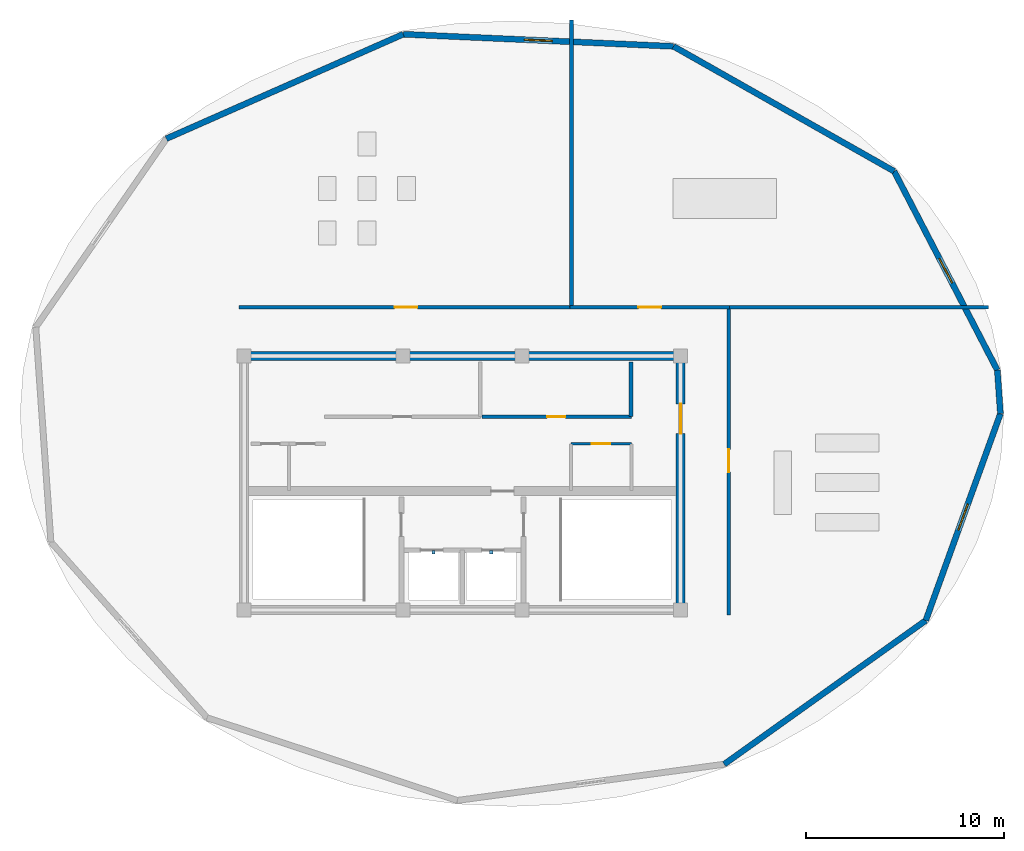
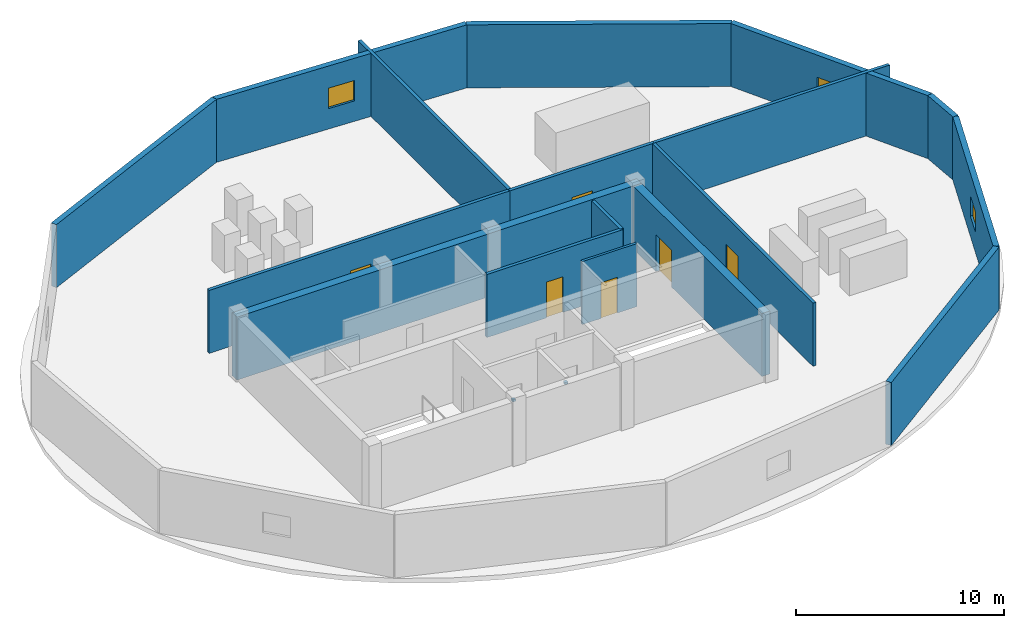
# One storey, part 2 of 4: 17 walls, 6 doors, 3 windows, 2 discrete accessories, 9 openings.
"""IFC4 building model written with IfcOpenShell, lengths in metres."""

from ifc_helpers import new_model, si_unit, direction, frame, frame_2d, origin, origin_2d, place, context, subcontext, project, spatial, rectangle, extrude, material, layer, layer_set, type_object, element, fill, save


model = new_model("IFC4")

# Units and contexts
model_context = context("Model", 3, precision=1e-05, world=origin(), true_north=direction((0.0, 1.0)))
body_context = subcontext(model_context, "Body", "Model", "MODEL_VIEW")
ifc_project = project(units=[si_unit("LENGTHUNIT", "METRE"), si_unit("AREAUNIT", "SQUARE_METRE"), si_unit("VOLUMEUNIT", "CUBIC_METRE"), si_unit("PLANEANGLEUNIT", "RADIAN"), si_unit("MASSUNIT", "GRAM", prefix="KILO")], contexts=[model_context])

# Site, building, storey
site_placement = place(None, origin())
site = spatial("IfcSite", under=ifc_project, at=site_placement, CompositionType="ELEMENT")
building_placement = place(site_placement, origin())
building = spatial("IfcBuilding", under=site, at=building_placement, Name="Kazevale Care Tower and Concert Hall", CompositionType="ELEMENT")
storey_placement = place(building_placement, frame((0.0, 0.0, 308.800048828125)))
storey = spatial("IfcBuildingStorey", under=building, at=storey_placement, Name="L81", CompositionType="ELEMENT", Elevation=308.800048828125)

# Wall, opening, door
ifc_material_1 = material(Name="Acoustic Gypsum on Steel Stud", Category="steel")
ifc_layer_1 = layer(ifc_material_1, 0.139892578125)
ifc_layer_set_1 = layer_set([ifc_layer_1], Name="Acoustic Gypsum on Steel Stud")
wall_type_1 = type_object("IfcWallType", Name="Acoustic Care & Suite Partition 140", PredefinedType="PARTITIONING", material=ifc_layer_set_1)
wall_1_placement = place(storey_placement, frame((38.47998046875, 31.97998046875, 0.0), z_axis=(0.0, 0.0, 1.0), x_axis=(1.0, 0.0, 0.0)))
wall_1 = element("IfcWall", 1, at=wall_1_placement, inside=storey, type_object=wall_type_1, Name="wall:L81:kb_en", PredefinedType="PARTITIONING", context=body_context, shape_type="SweptSolid", body=[
    extrude(rectangle(XDim=3.0400390625, YDim=0.139892578125, at=frame_2d((1.52001953125, 0.0))), origin(), (0.0, 0.0, 1.0), 3.699951171875),
])
opening_1_placement = place(wall_1_placement, frame((1.044921875, 0.0, 0.0)))
opening_1 = element("IfcOpeningElement", 2, at=opening_1_placement, cuts=wall_1, Name="Opening ID-900", PredefinedType="OPENING", context=body_context, shape_type="SweptSolid", body=[
    extrude(rectangle(XDim=0.919921875, YDim=2.10009765625, at=frame_2d((0.4599609375, 1.050048828125))), frame((0.0, 0.079833984375, 0.0), z_axis=(0.0, -1.0, 0.0), x_axis=(1.0, 0.0, 0.0)), (0.0, 0.0, 1.0), 0.159912109375),
])
ifc_material_2 = material(Name="Oak Timber Fire Leaf", Category="wood")
door_type_1 = type_object("IfcDoorType", Name="Bathroom & Service Door 920x2100", OperationType="NOTDEFINED", PredefinedType="DOOR", material=ifc_material_2)
door_1_placement = place(opening_1_placement, origin())
door_1 = element("IfcDoor", 3, at=door_1_placement, inside=storey, type_object=door_type_1, Name="door:L81:d_kbe", OperationType="SINGLE_SWING_LEFT", OverallHeight=2.10009765625, OverallWidth=0.919921875, PredefinedType="DOOR", context=body_context, shape_type="SweptSolid", body=[
    extrude(rectangle(XDim=0.919921875, YDim=2.10009765625, at=frame_2d((0.4599609375, 1.050048828125))), frame((0.0, 0.02490234375, 0.0), z_axis=(0.0, -1.0, 0.0), x_axis=(1.0, 0.0, 0.0)), (0.0, 0.0, 1.0), 0.050048828125),
])
fill(opening_1, door_1)

# Wall
ifc_material_3 = material(Name="Concrete C50", Category="concrete")
ifc_layer_2 = layer(ifc_material_3, 0.449951171875)
ifc_layer_set_2 = layer_set([ifc_layer_2], Name="Concrete C50")
wall_type_2 = type_object("IfcWallType", Name="Core Shear Wall 450 C50", PredefinedType="SHEAR", material=ifc_layer_set_2)
wall_2_placement = place(storey_placement, frame((21.77490234375, 36.39990234375, 0.0), z_axis=(0.0, 0.0, 1.0), x_axis=(1.0, 0.0, 0.0)))
element("IfcWall", 4, at=wall_2_placement, inside=storey, type_object=wall_type_2, Name="wall:L81:core:N", PredefinedType="SHEAR", context=body_context, shape_type="SweptSolid", body=[
    extrude(rectangle(XDim=22.4501953125, YDim=0.449951171875, at=frame_2d((11.22509765625, 0.0))), origin(), (0.0, 0.0, 1.0), 3.699951171875),
])

# Wall, opening, door
wall_3_placement = place(storey_placement, frame((44.0, 23.824951171875, 0.0), z_axis=(0.0, 0.0, 1.0), x_axis=(0.0, 1.0, 0.0)))
wall_3 = element("IfcWall", 5, at=wall_3_placement, inside=storey, type_object=wall_type_2, Name="wall:L81:core:E", PredefinedType="SHEAR", context=body_context, shape_type="SweptSolid", body=[
    extrude(rectangle(XDim=12.35009765625, YDim=0.449951171875, at=frame_2d((6.175048828125, 0.0))), origin(), (0.0, 0.0, 1.0), 3.699951171875),
])
opening_2_placement = place(wall_3_placement, frame((8.675048828125, 0.0, 0.0)))
opening_2 = element("IfcOpeningElement", 6, at=opening_2_placement, cuts=wall_3, Name="Opening FD-60D", PredefinedType="OPENING", context=body_context, shape_type="SweptSolid", body=[
    extrude(rectangle(XDim=1.5, YDim=2.14990234375, at=frame_2d((0.75, 1.074951171875))), frame((0.0, 0.23486328125, 0.0), z_axis=(0.0, -1.0, 0.0), x_axis=(1.0, 0.0, 0.0)), (0.0, 0.0, 1.0), 0.469970703125),
])
door_type_2 = type_object("IfcDoorType", Name="Double Lobby & Auditorium Fire Door 1500x2150", OperationType="NOTDEFINED", PredefinedType="DOOR", material=ifc_material_2)
door_2_placement = place(opening_2_placement, origin())
door_2 = element("IfcDoor", 7, at=door_2_placement, inside=storey, type_object=door_type_2, Name="door:L81:core_east_out", OperationType="DOUBLE_DOOR_SINGLE_SWING", OverallHeight=2.14990234375, OverallWidth=1.5, PredefinedType="DOOR", context=body_context, shape_type="SweptSolid", body=[
    extrude(rectangle(XDim=1.5, YDim=2.14990234375, at=frame_2d((0.75, 1.074951171875))), frame((0.0, 0.02490234375, 0.0), z_axis=(0.0, -1.0, 0.0), x_axis=(1.0, 0.0, 0.0)), (0.0, 0.0, 1.0), 0.050048828125),
])
fill(opening_2, door_2)

# Wall, opening, window
ifc_material_4 = material(Name="Concrete C40 with Honed Limestone Cladding", Category="masonry")
ifc_layer_3 = layer(ifc_material_4, 0.300048828125)
ifc_layer_set_3 = layer_set([ifc_layer_3], Name="Concrete C40 with Honed Limestone Cladding")
wall_type_3 = type_object("IfcWallType", Name="Crown Drum Louvred Stone Wall 300", PredefinedType="STANDARD", material=ifc_layer_set_3)
wall_4_placement = place(storey_placement, frame((60.1201171875, 33.5, 0.0), z_axis=(0.0, 0.0, 1.0), x_axis=(-0.339587618367, -0.940574425259, 0.0)))
wall_4 = element("IfcWall", 8, at=wall_4_placement, inside=storey, type_object=wall_type_3, Name="wall:L81:drum:01", PredefinedType="STANDARD", context=body_context, shape_type="SweptSolid", body=[
    extrude(rectangle(XDim=11.08154296875, YDim=0.300048828125, at=frame_2d((5.540771484375, 0.0))), origin(), (0.0, 0.0, 1.0), 3.699951171875),
])
opening_3_placement = place(wall_4_placement, frame((4.841064453125, 0.0, 1.199951171875)))
opening_3 = element("IfcOpeningElement", 9, at=opening_3_placement, cuts=wall_4, Name="Opening WIN-4", PredefinedType="OPENING", context=body_context, shape_type="SweptSolid", body=[
    extrude(rectangle(XDim=1.39990234375, YDim=1.199951171875, at=frame_2d((0.699951171875, 0.60009765625))), frame((0.0, 0.159912109375, 0.0), z_axis=(0.0, -1.0, 0.0), x_axis=(1.0, 0.0, 0.0)), (0.0, 0.0, 1.0), 0.320068359375),
])
ifc_material_5 = material(Name="Aluminium 6063-T6", Category="aluminium")
window_type = type_object("IfcWindowType", Name="Crown Plant Louvred Window 1400x1200", PartitioningType="SINGLE_PANEL", PredefinedType="WINDOW", material=ifc_material_5)
window_1_placement = place(opening_3_placement, origin())
window_1 = element("IfcWindow", 10, at=window_1_placement, inside=storey, type_object=window_type, Name="win:L81:drum:01", OverallHeight=1.199951171875, OverallWidth=1.39990234375, PartitioningType="SINGLE_PANEL", PredefinedType="WINDOW", context=body_context, shape_type="SweptSolid", body=[
    extrude(rectangle(XDim=1.39990234375, YDim=1.199951171875, at=frame_2d((0.699951171875, 0.60009765625))), frame((0.0, 0.030029296875, 0.0), z_axis=(0.0, -1.0, 0.0), x_axis=(1.0, 0.0, 0.0)), (0.0, 0.0, 1.0), 0.06005859375),
])
fill(opening_3, window_1)

# Walls
wall_5_placement = place(storey_placement, frame((56.35693359375, 23.076904296875, 0.0), z_axis=(0.0, 0.0, 1.0), x_axis=(-0.814111303181, -0.580708865123, 0.0)))
element("IfcWall", 11, at=wall_5_placement, inside=storey, type_object=wall_type_3, Name="wall:L81:drum:02", PredefinedType="STANDARD", context=body_context, shape_type="SweptSolid", body=[
    extrude(rectangle(XDim=12.48095703125, YDim=0.300048828125, at=frame_2d((6.240478515625, 0.0))), origin(), (0.0, 0.0, 1.0), 3.699951171875),
])
wall_6_placement = place(storey_placement, frame((18.075927734375, 47.360107421875, 0.0), z_axis=(0.0, 0.0, 1.0), x_axis=(0.914943001047, 0.40358308294, 0.0)))
element("IfcWall", 12, at=wall_6_placement, inside=storey, type_object=wall_type_3, Name="wall:L81:drum:08", PredefinedType="STANDARD", context=body_context, shape_type="SweptSolid", body=[
    extrude(rectangle(XDim=13.0478515625, YDim=0.300048828125, at=frame_2d((6.52392578125, 0.0))), origin(), (0.0, 0.0, 1.0), 3.699951171875),
])

# Wall, opening, window
wall_7_placement = place(storey_placement, frame((30.013916015625, 52.6259765625, 0.0), z_axis=(0.0, 0.0, 1.0), x_axis=(0.998996211569, -0.04479474602, 0.0)))
wall_7 = element("IfcWall", 13, at=wall_7_placement, inside=storey, type_object=wall_type_3, Name="wall:L81:drum:09", PredefinedType="STANDARD", context=body_context, shape_type="SweptSolid", body=[
    extrude(rectangle(XDim=13.641845703125, YDim=0.300048828125, at=frame_2d((6.82080078125, 0.0))), origin(), (0.0, 0.0, 1.0), 3.699951171875),
])
opening_4_placement = place(wall_7_placement, frame((6.12109375, 0.0, 1.199951171875)))
opening_4 = element("IfcOpeningElement", 14, at=opening_4_placement, cuts=wall_7, Name="Opening WIN-4", PredefinedType="OPENING", context=body_context, shape_type="SweptSolid", body=[
    extrude(rectangle(XDim=1.39990234375, YDim=1.199951171875, at=frame_2d((0.699951171875, 0.60009765625))), frame((0.0, 0.159912109375, 0.0), z_axis=(0.0, -1.0, 0.0), x_axis=(1.0, 0.0, 0.0)), (0.0, 0.0, 1.0), 0.320068359375),
])
window_2_placement = place(opening_4_placement, origin())
window_2 = element("IfcWindow", 15, at=window_2_placement, inside=storey, type_object=window_type, Name="win:L81:drum:09", OverallHeight=1.199951171875, OverallWidth=1.39990234375, PartitioningType="SINGLE_PANEL", PredefinedType="WINDOW", context=body_context, shape_type="SweptSolid", body=[
    extrude(rectangle(XDim=1.39990234375, YDim=1.199951171875, at=frame_2d((0.699951171875, 0.60009765625))), frame((0.0, 0.030029296875, 0.0), z_axis=(0.0, -1.0, 0.0), x_axis=(1.0, 0.0, 0.0)), (0.0, 0.0, 1.0), 0.06005859375),
])
fill(opening_4, window_2)

# Wall
wall_8_placement = place(storey_placement, frame((43.64208984375, 52.014892578125, 0.0), z_axis=(0.0, 0.0, 1.0), x_axis=(0.870169378253, -0.492752730232, 0.0)))
element("IfcWall", 16, at=wall_8_placement, inside=storey, type_object=wall_type_3, Name="wall:L81:drum:10", PredefinedType="STANDARD", context=body_context, shape_type="SweptSolid", body=[
    extrude(rectangle(XDim=12.779052734375, YDim=0.300048828125, at=frame_2d((6.3896484375, 0.0))), origin(), (0.0, 0.0, 1.0), 3.699951171875),
])

# Wall, opening, window
wall_9_placement = place(storey_placement, frame((54.761962890625, 45.718017578125, 0.0), z_axis=(0.0, 0.0, 1.0), x_axis=(0.460623742834, -0.8875954977, 0.0)))
wall_9 = element("IfcWall", 17, at=wall_9_placement, inside=storey, type_object=wall_type_3, Name="wall:L81:drum:11", PredefinedType="STANDARD", context=body_context, shape_type="SweptSolid", body=[
    extrude(rectangle(XDim=11.2958984375, YDim=0.300048828125, at=frame_2d((5.64794921875, 0.0))), origin(), (0.0, 0.0, 1.0), 3.699951171875),
])
opening_5_placement = place(wall_9_placement, frame((4.947998046875, 0.0, 1.199951171875)))
opening_5 = element("IfcOpeningElement", 18, at=opening_5_placement, cuts=wall_9, Name="Opening WIN-4", PredefinedType="OPENING", context=body_context, shape_type="SweptSolid", body=[
    extrude(rectangle(XDim=1.39990234375, YDim=1.199951171875, at=frame_2d((0.699951171875, 0.60009765625))), frame((0.0, 0.159912109375, 0.0), z_axis=(0.0, -1.0, 0.0), x_axis=(1.0, 0.0, 0.0)), (0.0, 0.0, 1.0), 0.320068359375),
])
window_3_placement = place(opening_5_placement, origin())
window_3 = element("IfcWindow", 19, at=window_3_placement, inside=storey, type_object=window_type, Name="win:L81:drum:11", OverallHeight=1.199951171875, OverallWidth=1.39990234375, PartitioningType="SINGLE_PANEL", PredefinedType="WINDOW", context=body_context, shape_type="SweptSolid", body=[
    extrude(rectangle(XDim=1.39990234375, YDim=1.199951171875, at=frame_2d((0.699951171875, 0.60009765625))), frame((0.0, 0.030029296875, 0.0), z_axis=(0.0, -1.0, 0.0), x_axis=(1.0, 0.0, 0.0)), (0.0, 0.0, 1.0), 0.06005859375),
])
fill(opening_5, window_3)

# Wall
wall_10_placement = place(storey_placement, frame((59.965087890625, 35.69189453125, 0.0), z_axis=(0.0, 0.0, 1.0), x_axis=(0.070552198309, -0.997508088846, 0.0)))
element("IfcWall", 20, at=wall_10_placement, inside=storey, type_object=wall_type_3, Name="wall:L81:drum:12", PredefinedType="STANDARD", context=body_context, shape_type="SweptSolid", body=[
    extrude(rectangle(XDim=2.197265625, YDim=0.300048828125, at=frame_2d((1.0986328125, 0.0))), origin(), (0.0, 0.0, 1.0), 3.699951171875),
])

# Wall, opening, door
ifc_material_6 = material(Name="Concrete C40 and Acoustic Gypsum", Category="concrete")
ifc_layer_4 = layer(ifc_material_6, 0.179931640625)
ifc_layer_set_4 = layer_set([ifc_layer_4], Name="Concrete C40 and Acoustic Gypsum")
wall_type_4 = type_object("IfcWallType", Name="Fire-Rated Corridor & Party Wall 180", PredefinedType="PARTITIONING", material=ifc_layer_set_4)
wall_11_placement = place(storey_placement, frame((33.97998046875, 33.35009765625, 0.0), z_axis=(0.0, 0.0, 1.0), x_axis=(1.0, 0.0, 0.0)))
wall_11 = element("IfcWall", 21, at=wall_11_placement, inside=storey, type_object=wall_type_4, Name="wall:L81:c_pma_s", PredefinedType="PARTITIONING", context=body_context, shape_type="SweptSolid", body=[
    extrude(rectangle(XDim=7.5400390625, YDim=0.179931640625, at=frame_2d((3.77001953125, 0.0))), origin(), (0.0, 0.0, 1.0), 3.699951171875),
])
opening_6_placement = place(wall_11_placement, frame((3.294921875, 0.0, 0.0)))
opening_6 = element("IfcOpeningElement", 22, at=opening_6_placement, cuts=wall_11, Name="Opening ID-900", PredefinedType="OPENING", context=body_context, shape_type="SweptSolid", body=[
    extrude(rectangle(XDim=0.919921875, YDim=2.10009765625, at=frame_2d((0.4599609375, 1.050048828125))), frame((0.0, 0.099853515625, 0.0), z_axis=(0.0, -1.0, 0.0), x_axis=(1.0, 0.0, 0.0)), (0.0, 0.0, 1.0), 0.199951171875),
])
door_3_placement = place(opening_6_placement, origin())
door_3 = element("IfcDoor", 23, at=door_3_placement, inside=storey, type_object=door_type_1, Name="door:L81:d_pma", OperationType="SINGLE_SWING_LEFT", OverallHeight=2.10009765625, OverallWidth=0.919921875, PredefinedType="DOOR", context=body_context, shape_type="SweptSolid", body=[
    extrude(rectangle(XDim=0.919921875, YDim=2.10009765625, at=frame_2d((0.4599609375, 1.050048828125))), frame((0.0, 0.02490234375, 0.0), z_axis=(0.0, -1.0, 0.0), x_axis=(1.0, 0.0, 0.0)), (0.0, 0.0, 1.0), 0.050048828125),
])
fill(opening_6, door_3)

# Wall
wall_12_placement = place(storey_placement, frame((41.5, 33.35009765625, 0.0), z_axis=(0.0, 0.0, 1.0), x_axis=(0.0, 1.0, 0.0)))
element("IfcWall", 24, at=wall_12_placement, inside=storey, type_object=wall_type_4, Name="wall:L81:c_pma_e", PredefinedType="PARTITIONING", context=body_context, shape_type="SweptSolid", body=[
    extrude(rectangle(XDim=2.75, YDim=0.179931640625, at=frame_2d((1.375, 0.0))), origin(), (0.0, 0.0, 1.0), 3.699951171875),
])

# Wall, opening, door
wall_13_placement = place(storey_placement, frame((21.7451171875, 38.875, 0.0), z_axis=(0.0, 0.0, 1.0), x_axis=(1.0, 0.0, 0.0)))
wall_13 = element("IfcWall", 25, at=wall_13_placement, inside=storey, type_object=wall_type_4, Name="wall:L81:auto_001", PredefinedType="PARTITIONING", context=body_context, shape_type="SweptSolid", body=[
    extrude(rectangle(XDim=16.81982421875, YDim=0.179931640625, at=frame_2d((8.409912109375, 0.0))), origin(), (0.0, 0.0, 1.0), 3.699951171875),
])
opening_7_placement = place(wall_13_placement, frame((7.8349609375, 0.0, 0.0)))
opening_7 = element("IfcOpeningElement", 26, at=opening_7_placement, cuts=wall_13, Name="Opening FD-90", PredefinedType="OPENING", context=body_context, shape_type="SweptSolid", body=[
    extrude(rectangle(XDim=1.14990234375, YDim=2.10009765625, at=frame_2d((0.574951171875, 1.050048828125))), frame((0.0, 0.099853515625, 0.0), z_axis=(0.0, -1.0, 0.0), x_axis=(1.0, 0.0, 0.0)), (0.0, 0.0, 1.0), 0.199951171875),
])
ifc_material_7 = material(Name="Steel ASTM A572 Gr 50", Category="steel")
door_type_3 = type_object("IfcDoorType", Name="Pressurized Stair & Lobby Fire Door 1150x2100", OperationType="NOTDEFINED", PredefinedType="DOOR", material=ifc_material_7)
door_4_placement = place(opening_7_placement, origin())
door_4 = element("IfcDoor", 27, at=door_4_placement, inside=storey, type_object=door_type_3, Name="door:L81:ad_001", OperationType="SINGLE_SWING_LEFT", OverallHeight=2.10009765625, OverallWidth=1.14990234375, PredefinedType="DOOR", context=body_context, shape_type="SweptSolid", body=[
    extrude(rectangle(XDim=1.14990234375, YDim=2.10009765625, at=frame_2d((0.574951171875, 1.050048828125))), frame((0.0, 0.02490234375, 0.0), z_axis=(0.0, -1.0, 0.0), x_axis=(1.0, 0.0, 0.0)), (0.0, 0.0, 1.0), 0.050048828125),
])
fill(opening_7, door_4)

wall_14_placement = place(storey_placement, frame((38.43505859375, 38.875, 0.0), z_axis=(0.0, 0.0, 1.0), x_axis=(1.0, 0.0, 0.0)))
wall_14 = element("IfcWall", 28, at=wall_14_placement, inside=storey, type_object=wall_type_4, Name="wall:L81:auto_002", PredefinedType="PARTITIONING", context=body_context, shape_type="SweptSolid", body=[
    extrude(rectangle(XDim=8.02001953125, YDim=0.179931640625, at=frame_2d((4.010009765625, 0.0))), origin(), (0.0, 0.0, 1.0), 3.699951171875),
])
opening_8_placement = place(wall_14_placement, frame((3.43505859375, 0.0, 0.0)))
opening_8 = element("IfcOpeningElement", 29, at=opening_8_placement, cuts=wall_14, Name="Opening FD-90", PredefinedType="OPENING", context=body_context, shape_type="SweptSolid", body=[
    extrude(rectangle(XDim=1.14990234375, YDim=2.10009765625, at=frame_2d((0.574951171875, 1.050048828125))), frame((0.0, 0.099853515625, 0.0), z_axis=(0.0, -1.0, 0.0), x_axis=(1.0, 0.0, 0.0)), (0.0, 0.0, 1.0), 0.199951171875),
])
door_5_placement = place(opening_8_placement, origin())
door_5 = element("IfcDoor", 30, at=door_5_placement, inside=storey, type_object=door_type_3, Name="door:L81:ad_002", OperationType="SINGLE_SWING_LEFT", OverallHeight=2.10009765625, OverallWidth=1.14990234375, PredefinedType="DOOR", context=body_context, shape_type="SweptSolid", body=[
    extrude(rectangle(XDim=1.14990234375, YDim=2.10009765625, at=frame_2d((0.574951171875, 1.050048828125))), frame((0.0, 0.02490234375, 0.0), z_axis=(0.0, -1.0, 0.0), x_axis=(1.0, 0.0, 0.0)), (0.0, 0.0, 1.0), 0.050048828125),
])
fill(opening_8, door_5)

wall_15_placement = place(storey_placement, frame((46.425048828125, 38.905029296875, 0.0), z_axis=(0.0, 0.0, 1.0), x_axis=(0.0, -1.0, 0.0)))
wall_15 = element("IfcWall", 31, at=wall_15_placement, inside=storey, type_object=wall_type_4, Name="wall:L81:auto_003", PredefinedType="PARTITIONING", context=body_context, shape_type="SweptSolid", body=[
    extrude(rectangle(XDim=15.56005859375, YDim=0.179931640625, at=frame_2d((7.780029296875, 0.0))), origin(), (0.0, 0.0, 1.0), 3.699951171875),
])
opening_9_placement = place(wall_15_placement, frame((7.205078125, 0.0, 0.0)))
opening_9 = element("IfcOpeningElement", 32, at=opening_9_placement, cuts=wall_15, Name="Opening FD-90", PredefinedType="OPENING", context=body_context, shape_type="SweptSolid", body=[
    extrude(rectangle(XDim=1.14990234375, YDim=2.10009765625, at=frame_2d((0.574951171875, 1.050048828125))), frame((0.0, 0.099853515625, 0.0), z_axis=(0.0, -1.0, 0.0), x_axis=(1.0, 0.0, 0.0)), (0.0, 0.0, 1.0), 0.199951171875),
])
door_6_placement = place(opening_9_placement, origin())
door_6 = element("IfcDoor", 33, at=door_6_placement, inside=storey, type_object=door_type_3, Name="door:L81:ad_003", OperationType="SINGLE_SWING_LEFT", OverallHeight=2.10009765625, OverallWidth=1.14990234375, PredefinedType="DOOR", context=body_context, shape_type="SweptSolid", body=[
    extrude(rectangle(XDim=1.14990234375, YDim=2.10009765625, at=frame_2d((0.574951171875, 1.050048828125))), frame((0.0, 0.02490234375, 0.0), z_axis=(0.0, -1.0, 0.0), x_axis=(1.0, 0.0, 0.0)), (0.0, 0.0, 1.0), 0.050048828125),
])
fill(opening_9, door_6)

# Walls
wall_16_placement = place(storey_placement, frame((38.5, 53.343994140625, 0.0), z_axis=(0.0, 0.0, 1.0), x_axis=(0.0, -1.0, 0.0)))
element("IfcWall", 34, at=wall_16_placement, inside=storey, type_object=wall_type_4, Name="wall:L81:auto_004", PredefinedType="PARTITIONING", context=body_context, shape_type="SweptSolid", body=[
    extrude(rectangle(XDim=14.4990234375, YDim=0.179931640625, at=frame_2d((7.24951171875, 0.0))), origin(), (0.0, 0.0, 1.0), 3.699951171875),
])
wall_17_placement = place(storey_placement, frame((59.51708984375, 38.875, 0.0), z_axis=(0.0, 0.0, 1.0), x_axis=(-1.0, 0.0, 0.0)))
element("IfcWall", 35, at=wall_17_placement, inside=storey, type_object=wall_type_4, Name="wall:L81:auto_005", PredefinedType="PARTITIONING", context=body_context, shape_type="SweptSolid", body=[
    extrude(rectangle(XDim=13.156982421875, YDim=0.179931640625, at=frame_2d((6.57861328125, 0.0))), origin(), (0.0, 0.0, 1.0), 3.699951171875),
])

# Discrete accessories
ifc_material_8 = material(Name="Stainless Steel 316", Category="steel")
discrete_accessory_type = type_object("IfcDiscreteAccessoryType", Name="Hoistway Guide-Rail Wall Bracket HBRK-1", PredefinedType="BRACKET", material=ifc_material_8)
for number, where, z_axis, x_axis, name in (
    (36, (31.550048828125, 26.52001953125, 1.239990234375), (0.0, 0.0, 1.0), (1.0, 0.0, 0.0), "hbrk:FFL-1:L81"),
    (37, (34.449951171875, 26.52001953125, 1.239990234375), (0.0, 0.0, 1.0), (1.0, 0.0, 0.0), "hbrk:FFL-2:L81"),
):
    element("IfcDiscreteAccessory", number, at=place(storey_placement, frame(where, z_axis=z_axis, x_axis=x_axis)), inside=storey, type_object=discrete_accessory_type, Name=name, PredefinedType="BRACKET", context=body_context, shape_type="SweptSolid", body=[
        extrude(rectangle(XDim=0.159912109375, YDim=0.179931640625, at=origin_2d()), origin(), (0.0, 0.0, 1.0), 0.1201171875),
    ])

save(model, "model.ifc")
